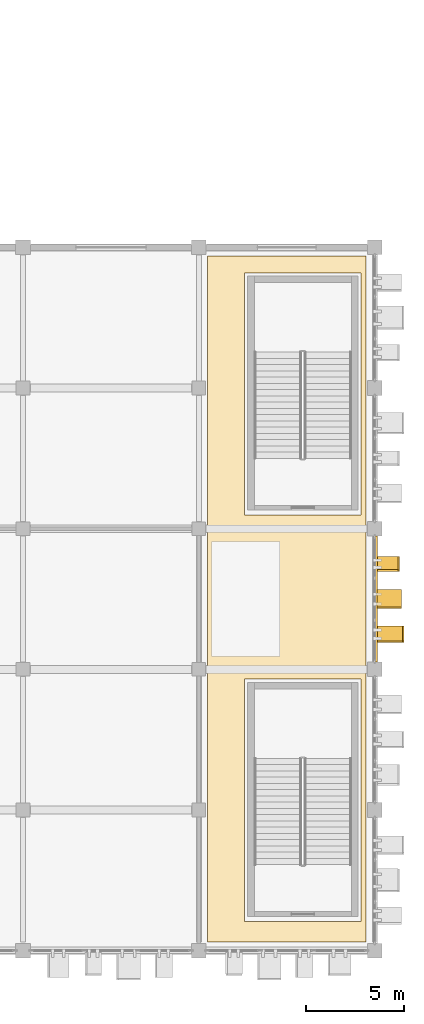
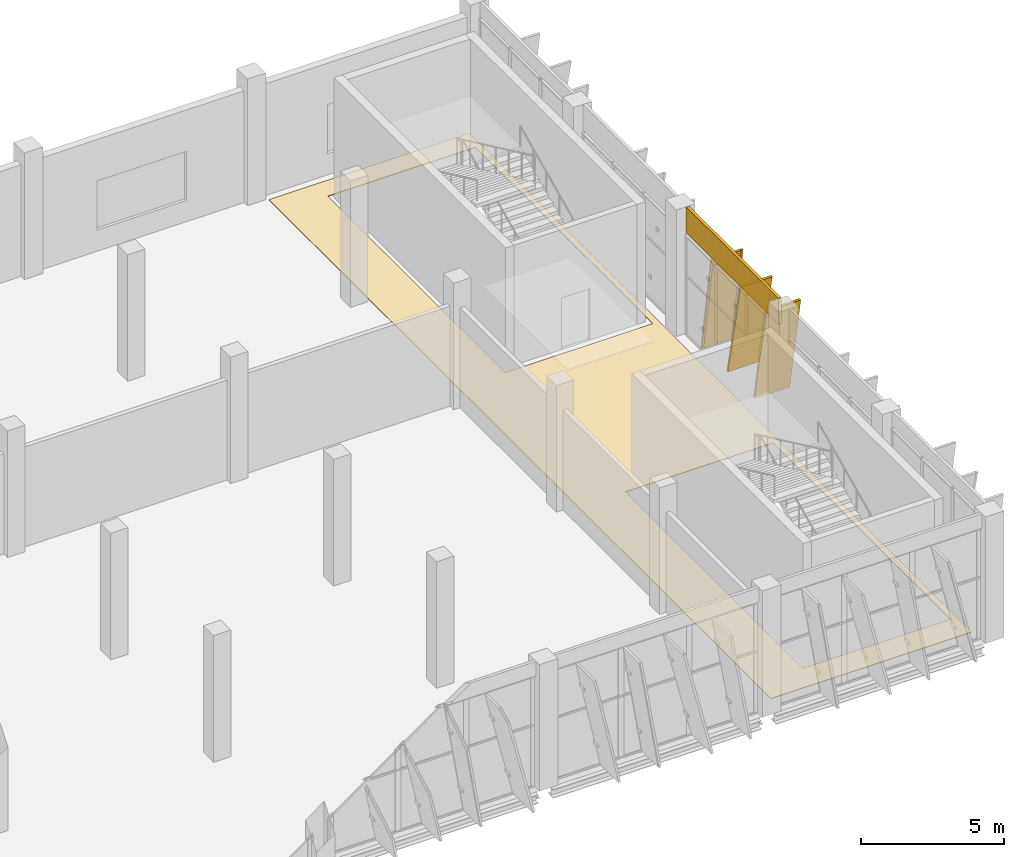
# One storey, part 172 of 189: 5 coverings, 3 shading devices.
"""IFC4 building model written with IfcOpenShell, lengths in metres."""

import ifcopenshell
import ifcopenshell.guid

model = None  # the IFC model being written
_history = None  # IfcOwnerHistory: only IFC2X3 demands one
_inside = {}  # id of a spatial element -> (the spatial element, [elements in it])
_under = {}  # id of a project, library or spatial element -> (it, [spatial elements below it])
_declared = {}  # id of a project -> (the project, [libraries it declares])
_typed = {}  # id of a type object -> (the type object, [elements of that type])
_made_of = {}  # id of a material, layer set ... -> (it, [elements and type objects made of it])


def new_model(schema):
    """Start an empty IFC model of exactly this schema.

    Asked for "IFC4X3", IfcOpenShell would pick the latest addendum, in which some entities
    have other attributes; the version numbers below select the first issue.
    IFC2X3 requires an IfcOwnerHistory on every rooted entity: one is made here for all.
    """
    global model, _history
    if schema == "IFC4X3":
        model = ifcopenshell.file(schema_version=(4, 3, 0, 0))
    else:
        model = ifcopenshell.file(schema=schema)
    _inside.clear()
    _under.clear()
    _declared.clear()
    _typed.clear()
    _made_of.clear()
    _history = None
    if model.schema == "IFC2X3":
        org = make("IfcOrganization", Name="unknown")
        user = make(
            "IfcPersonAndOrganization",
            ThePerson=make("IfcPerson", FamilyName="unknown"),
            TheOrganization=org,
        )
        app = make(
            "IfcApplication",
            ApplicationDeveloper=org,
            Version="unknown",
            ApplicationFullName="unknown",
            ApplicationIdentifier="unknown",
        )
        _history = make(
            "IfcOwnerHistory",
            OwningUser=user,
            OwningApplication=app,
            ChangeAction="ADDED",
            CreationDate=0,
        )
    return model


def make(cls, **values):
    """One entity of the class cls with the attributes given. An attribute that is None is left unset."""
    return model.create_entity(
        cls, **{name: value for name, value in values.items() if value is not None}
    )


def rooted(cls, **values):
    """An entity with a GlobalId (a new one), such as an element, a storey or a relation."""
    return make(cls, GlobalId=ifcopenshell.guid.new(), OwnerHistory=_history, **values)


def si_unit(unit_type, name, prefix=None):
    """IfcSIUnit, for example si_unit("LENGTHUNIT", "METRE", prefix="MILLI")."""
    return make("IfcSIUnit", UnitType=unit_type, Prefix=prefix, Name=name)


def assignment(units):
    """IfcUnitAssignment: the units of a project."""
    return None if units is None else make("IfcUnitAssignment", Units=units)


def point(xyz):
    """IfcCartesianPoint."""
    return None if xyz is None else make("IfcCartesianPoint", Coordinates=xyz)


def direction(xyz):
    """IfcDirection."""
    return None if xyz is None else make("IfcDirection", DirectionRatios=xyz)


def frame(location, z_axis=None, x_axis=None):
    """IfcAxis2Placement3D, a coordinate frame: its origin and axes. An axis left out is left unset."""
    return make(
        "IfcAxis2Placement3D",
        Location=point(location),
        Axis=direction(z_axis),
        RefDirection=direction(x_axis),
    )


def frame_2d(location, x_axis=None):
    """IfcAxis2Placement2D, a coordinate frame in the plane: its origin and x axis."""
    return make(
        "IfcAxis2Placement2D", Location=point(location), RefDirection=direction(x_axis)
    )


def origin():
    """The frame at (0, 0, 0) with its axes left unset."""
    return frame((0.0, 0.0, 0.0))


def origin_2d():
    """The frame at (0, 0) in the plane with its x axis left unset."""
    return frame_2d((0.0, 0.0))


def place(relative_to, where):
    """IfcLocalPlacement: puts the frame where relative to a parent placement (None: the world)."""
    return make(
        "IfcLocalPlacement", PlacementRelTo=relative_to, RelativePlacement=where
    )


def context(
    kind, dimensions, precision=None, world=None, true_north=None, identifier=None
):
    """IfcGeometricRepresentationContext, for example the 3D "Model" context."""
    return make(
        "IfcGeometricRepresentationContext",
        ContextIdentifier=identifier,
        ContextType=kind,
        CoordinateSpaceDimension=dimensions,
        Precision=precision,
        WorldCoordinateSystem=world,
        TrueNorth=true_north,
    )


def subcontext(parent, identifier, kind, view, scale=None):
    """IfcGeometricRepresentationSubContext, for example "Body" below "Model"."""
    return make(
        "IfcGeometricRepresentationSubContext",
        ContextIdentifier=identifier,
        ContextType=kind,
        ParentContext=parent,
        TargetScale=scale,
        TargetView=view,
    )


def project(units=None, contexts=None):
    """IfcProject with its units and contexts."""
    return rooted(
        "IfcProject",
        Name="project",
        RepresentationContexts=contexts,
        UnitsInContext=assignment(units),
    )


def spatial(cls, under=None, at=None, **own):
    """A site, building, storey or space (cls), placed at a placement, below another one or the project."""
    s = rooted(cls, ObjectPlacement=at, **own)
    if under is not None:
        _under.setdefault(under.id(), (under, []))[1].append(s)
    return s


def polyline(points):
    """IfcPolyline through the points."""
    return make("IfcPolyline", Points=[point(p) for p in points])


def profile(cls, at=None, kind="AREA", **sizes):
    """A parametric profile (cls). Its sizes go by their IFC names, for example OverallWidth=200.0."""
    return make(cls, ProfileType=kind, Position=at, **sizes)


def rectangle(**sizes):
    """IfcRectangleProfileDef."""
    return profile("IfcRectangleProfileDef", **sizes)


def outline(outer, holes=None, kind="AREA"):
    """IfcArbitraryClosedProfileDef: a profile drawn as a closed curve; with holes, ...WithVoids."""
    if holes is None:
        return make("IfcArbitraryClosedProfileDef", ProfileType=kind, OuterCurve=outer)
    return make(
        "IfcArbitraryProfileDefWithVoids",
        ProfileType=kind,
        OuterCurve=outer,
        InnerCurves=holes,
    )


def extrude(swept, where, along, depth):
    """IfcExtrudedAreaSolid: the profile swept, set in the frame where, extruded along a direction by depth."""
    return make(
        "IfcExtrudedAreaSolid",
        SweptArea=swept,
        Position=where,
        ExtrudedDirection=direction(along),
        Depth=depth,
    )


def shape(context_of_items, identifier, shape_type, items):
    """IfcShapeRepresentation: the items that make up one representation, for example the "Body"."""
    return make(
        "IfcShapeRepresentation",
        ContextOfItems=context_of_items,
        RepresentationIdentifier=identifier,
        RepresentationType=shape_type,
        Items=items,
    )


def material(Name=None, Category=None):
    """IfcMaterial."""
    return make("IfcMaterial", Name=Name, Category=Category)


def layer(
    of_material, thickness, ventilated=None, Name=None, Category=None, Priority=None
):
    """IfcMaterialLayer: one layer of a wall or slab, of a material (None: an air gap)."""
    return make(
        "IfcMaterialLayer",
        Material=of_material,
        LayerThickness=thickness,
        IsVentilated=ventilated,
        Name=Name,
        Category=Category,
        Priority=Priority,
    )


def layer_set(layers, Name=None):
    """IfcMaterialLayerSet."""
    return make("IfcMaterialLayerSet", MaterialLayers=layers, LayerSetName=Name)


def material_profile(
    of_material, cross_section, Name=None, Category=None, Priority=None
):
    """IfcMaterialProfile: a cross section and its material."""
    return make(
        "IfcMaterialProfile",
        Name=Name,
        Material=of_material,
        Profile=cross_section,
        Priority=Priority,
        Category=Category,
    )


def profile_set(profiles, Name=None, composite=None):
    """IfcMaterialProfileSet."""
    return make(
        "IfcMaterialProfileSet",
        Name=Name,
        MaterialProfiles=profiles,
        CompositeProfile=composite,
    )


def made_of(thing, what):
    """Note that an element or type object is made of a material, layer set ...; save() writes the relation."""
    if what is not None:
        _made_of.setdefault(what.id(), (what, []))[1].append(thing)
    return thing


def type_object(cls, material=None, **own):
    """A type object (cls), such as IfcWallType, which elements share."""
    return made_of(rooted(cls, **own), material)


def element(
    cls,
    number,
    at=None,
    inside=None,
    cuts=None,
    type_object=None,
    material=None,
    context=None,
    identifier="Body",
    shape_type=None,
    held_by="IfcProductDefinitionShape",
    body=None,
    shapes=None,
    **own,
):
    """One element of the class cls, such as IfcWall. Its Tag is "e" and its number.

    at: its placement. inside: the storey or other place that contains it. cuts: it is an
    opening in that element (IfcRelVoidsElement). A single representation is given by context,
    identifier, shape_type and body (its items); several are given by shapes. held_by: the class
    of the entity that holds the representations. save() writes the other relations.
    """
    e = rooted(cls, Tag="e%d" % number, ObjectPlacement=at, **own)
    if body is not None:
        shapes = [shape(context, identifier, shape_type, body)]
    if shapes is not None:
        e.Representation = make(held_by, Representations=shapes)
    if inside is not None:
        _inside.setdefault(inside.id(), (inside, []))[1].append(e)
    if cuts is not None:
        rooted(
            "IfcRelVoidsElement", RelatingBuildingElement=cuts, RelatedOpeningElement=e
        )
    if type_object is not None:
        _typed.setdefault(type_object.id(), (type_object, []))[1].append(e)
    return made_of(e, material)


def aggregate(whole, parts):
    """IfcRelAggregates: a whole, such as a stair, and the parts it consists of."""
    return rooted("IfcRelAggregates", RelatingObject=whole, RelatedObjects=parts)


def save(model, path):
    """Write the relations noted so far, then the file.

    IfcRelAggregates (storeys below a building ...), IfcRelContainedInSpatialStructure (elements
    in a storey), IfcRelDefinesByType, IfcRelAssociatesMaterial and IfcRelDeclares: one each for
    every whole, place, type object, material and project.
    """
    for whole, parts in _under.values():
        aggregate(whole, parts)
    for where, things in _inside.values():
        rooted(
            "IfcRelContainedInSpatialStructure",
            RelatedElements=things,
            RelatingStructure=where,
        )
    for kind, things in _typed.values():
        rooted("IfcRelDefinesByType", RelatedObjects=things, RelatingType=kind)
    for what, things in _made_of.values():
        rooted("IfcRelAssociatesMaterial", RelatedObjects=things, RelatingMaterial=what)
    for by, libraries in _declared.values():
        rooted("IfcRelDeclares", RelatingContext=by, RelatedDefinitions=libraries)
    model.write(path)


model = new_model("IFC4")

# Units and contexts
model_context = context("Model", 3, precision=1e-05, world=origin(), true_north=direction((0.0, 1.0)))
body_context = subcontext(model_context, "Body", "Model", "MODEL_VIEW")
ifc_project = project(units=[si_unit("LENGTHUNIT", "METRE"), si_unit("AREAUNIT", "SQUARE_METRE"), si_unit("VOLUMEUNIT", "CUBIC_METRE"), si_unit("PLANEANGLEUNIT", "RADIAN"), si_unit("MASSUNIT", "GRAM", prefix="KILO")], contexts=[model_context])

# Site, building, storey
site_placement = place(None, origin())
site = spatial("IfcSite", under=ifc_project, at=site_placement, CompositionType="ELEMENT")
building_placement = place(site_placement, origin())
building = spatial("IfcBuilding", under=site, at=building_placement, Name="Celestram Park Convention Centre", CompositionType="ELEMENT")
storey_placement = place(building_placement, frame((0.0, 0.0, 5.39990234375)))
storey = spatial("IfcBuildingStorey", under=building, at=storey_placement, Name="L01", CompositionType="ELEMENT", Elevation=5.39990234375)

# Coverings
ifc_material_1 = material(Name="Anodised Bronze Aluminium Spandrel Cladding", Category="aluminium")
ifc_layer_1 = layer(ifc_material_1, 0.050048828125)
ifc_layer_set_1 = layer_set([ifc_layer_1], Name="Anodised Bronze Aluminium Spandrel Cladding")
covering_type_1 = type_object("IfcCoveringType", Name="ARC-COV-CLD060", PredefinedType="CLADDING", material=ifc_layer_set_1)
covering_1_placement = place(storey_placement, frame((216.080078125, 18.0, 4.2841796875), z_axis=(0.0, 0.0, 1.0), x_axis=(0.0, -1.0, 0.0)))
element("IfcCovering", 1, at=covering_1_placement, inside=storey, type_object=covering_type_1, Name="Bronze spandrel cladding CL-L01-103", PredefinedType="CLADDING", context=body_context, shape_type="SweptSolid", body=[
    extrude(rectangle(XDim=6.4541015625, YDim=0.1201171875, at=origin_2d()), origin(), (0.0, 0.0, 1.0), 1.115966796875),
])
ifc_material_2 = material(Name="Timber-Toned Anodised Aluminium Alloy 6063-T6", Category="wood")
ifc_material_profile_1 = material_profile(ifc_material_2, rectangle(XDim=1.1201171875, YDim=0.090087890625, at=origin_2d()), Name="REED1120X90")
ifc_profile_set_1 = profile_set([ifc_material_profile_1], Name="Timber-Toned Anodised Aluminium Alloy 6063-T6")
covering_type_2 = type_object("IfcCoveringType", Name="ARC-COV-FIN1120", PredefinedType="CLADDING", material=ifc_profile_set_1)
covering_2_placement = place(storey_placement, frame((216.639892578125, 20.14013671875, 0.032470703125), z_axis=(0.0, -0.159892813281, 0.987134382068), x_axis=(1.0, 0.0, 0.0)))
element("IfcCovering", 2, at=covering_2_placement, inside=storey, type_object=covering_type_2, Name="Leaning timber-toned reed fin RFN-L01-0311", PredefinedType="CLADDING", context=body_context, shape_type="SweptSolid", body=[
    extrude(rectangle(XDim=1.1201171875, YDim=0.090087890625, at=origin_2d()), origin(), (0.0, 0.0, 1.0), 4.25390625),
])
ifc_material_profile_2 = material_profile(ifc_material_2, rectangle(XDim=1.280029296875, YDim=0.090087890625, at=origin_2d()), Name="REED1280X90")
ifc_profile_set_2 = profile_set([ifc_material_profile_2], Name="Timber-Toned Anodised Aluminium Alloy 6063-T6")
covering_type_3 = type_object("IfcCoveringType", Name="ARC-COV-FIN1280", PredefinedType="CLADDING", material=ifc_profile_set_2)
covering_3_placement = place(storey_placement, frame((216.719970703125, 18.44580078125, 0.052490234375), z_axis=(0.0, -0.209595719, 0.977788133788), x_axis=(1.0, 0.0, 0.0)))
element("IfcCovering", 3, at=covering_3_placement, inside=storey, type_object=covering_type_3, Name="Leaning timber-toned reed fin RFN-L01-0312", PredefinedType="CLADDING", context=body_context, shape_type="SweptSolid", body=[
    extrude(rectangle(XDim=1.280029296875, YDim=0.090087890625, at=origin_2d()), origin(), (0.0, 0.0, 1.0), 4.25390625),
])
ifc_material_profile_3 = material_profile(ifc_material_2, rectangle(XDim=1.419921875, YDim=0.090087890625, at=origin_2d()), Name="REED1420X90")
ifc_profile_set_3 = profile_set([ifc_material_profile_3], Name="Timber-Toned Anodised Aluminium Alloy 6063-T6")
covering_type_4 = type_object("IfcCoveringType", Name="ARC-COV-FIN1420", PredefinedType="CLADDING", material=ifc_profile_set_3)
covering_4_placement = place(storey_placement, frame((216.7900390625, 16.583984375, 0.0400390625), z_axis=(0.0, -0.180551813671, 0.983565474475), x_axis=(1.0, 0.0, 0.0)))
element("IfcCovering", 4, at=covering_4_placement, inside=storey, type_object=covering_type_4, Name="Leaning timber-toned reed fin RFN-L01-0313", PredefinedType="CLADDING", context=body_context, shape_type="SweptSolid", body=[
    extrude(rectangle(XDim=1.419921875, YDim=0.090087890625, at=origin_2d()), origin(), (0.0, 0.0, 1.0), 4.25390625),
])
ifc_material_3 = material(Name="Polished Lakefront Aggregate Terrazzo Flooring", Category="concrete")
ifc_layer_2 = layer(ifc_material_3, 0.02001953125)
ifc_layer_set_2 = layer_set([ifc_layer_2], Name="Polished Lakefront Aggregate Terrazzo Flooring")
covering_type_5 = type_object("IfcCoveringType", Name="ARC-COV-FLR020", PredefinedType="FLOORING", material=ifc_layer_set_2)
covering_5_placement = place(storey_placement, origin())
element("IfcCovering", 5, at=covering_5_placement, inside=storey, type_object=covering_type_5, Name="Banquet East Stair Lobby L01 terrazzo flooring", PredefinedType="FLOORING", context=body_context, shape_type="SweptSolid", body=[
    extrude(outline(polyline([(215.547119140625, 35.550048828125), (215.547119140625, 35.547119140625), (215.550048828125, 35.547119140625), (215.550048828125, 29.2529296875), (215.547119140625, 29.2529296875), (215.547119140625, 28.346923828125), (215.550048828125, 28.346923828125), (215.550048828125, 22.052978515625), (215.547119140625, 22.052978515625), (215.547119140625, 21.14697265625), (215.550048828125, 21.14697265625), (215.550048828125, 14.85302734375), (215.547119140625, 14.85302734375), (215.547119140625, 13.947021484375), (215.550048828125, 13.947021484375), (215.550048828125, 7.653076171875), (215.547119140625, 7.653076171875), (215.547119140625, 6.7470703125), (215.550048828125, 6.7470703125), (215.550048828125, 0.452880859375), (215.547119140625, 0.452880859375), (215.547119140625, 0.449951171875), (207.452880859375, 0.449951171875), (207.452880859375, 0.452880859375), (207.449951171875, 0.452880859375), (207.449951171875, 35.547119140625), (207.452880859375, 35.547119140625), (207.452880859375, 35.550048828125), (215.547119140625, 35.550048828125)]), holes=[polyline([(215.300048828125, 13.89990234375), (209.340087890625, 13.89990234375), (209.340087890625, 1.5), (215.300048828125, 1.5), (215.300048828125, 13.89990234375)]), polyline([(215.300048828125, 34.699951171875), (209.340087890625, 34.699951171875), (209.340087890625, 22.300048828125), (215.300048828125, 22.300048828125), (215.300048828125, 34.699951171875)])]), origin(), (0.0, 0.0, 1.0), 0.02001953125),
])

# Shading devices
ifc_material_4 = material(Name="Anodised Bronze Aluminium Alloy 6063-T6", Category="aluminium")
ifc_material_profile_4 = material_profile(ifc_material_4, rectangle(XDim=1.280029296875, YDim=0.080078125, at=origin_2d()), Name="FIN1280X80")
ifc_profile_set_4 = profile_set([ifc_material_profile_4], Name="Anodised Bronze Aluminium Alloy 6063-T6")
shading_device_type = type_object("IfcShadingDeviceType", Name="ARC-FIN-BZ1280", PredefinedType="USERDEFINED", material=ifc_profile_set_4)
for number, where, z_axis, x_axis, name in (
    (6, (216.639892578125, 20.14013671875, 0.032470703125), (0.0, -0.159892813281, 0.987134382068), (1.0, 0.0, 0.0), "Expressive solar fin FN-L01-0311"),
    (7, (216.719970703125, 18.44580078125, 0.052490234375), (0.0, -0.209595719, 0.977788133788), (1.0, 0.0, 0.0), "Expressive solar fin FN-L01-0312"),
    (8, (216.7900390625, 16.583984375, 0.0400390625), (0.0, -0.180551813671, 0.983565474475), (1.0, 0.0, 0.0), "Expressive solar fin FN-L01-0313"),
):
    element("IfcShadingDevice", number, at=place(storey_placement, frame(where, z_axis=z_axis, x_axis=x_axis)), inside=storey, type_object=shading_device_type, Name=name, ObjectType="SOLAR_FIN", PredefinedType="USERDEFINED", context=body_context, shape_type="SweptSolid", body=[
        extrude(rectangle(XDim=1.280029296875, YDim=0.080078125, at=origin_2d()), origin(), (0.0, 0.0, 1.0), 4.25390625),
    ])

save(model, "model.ifc")
